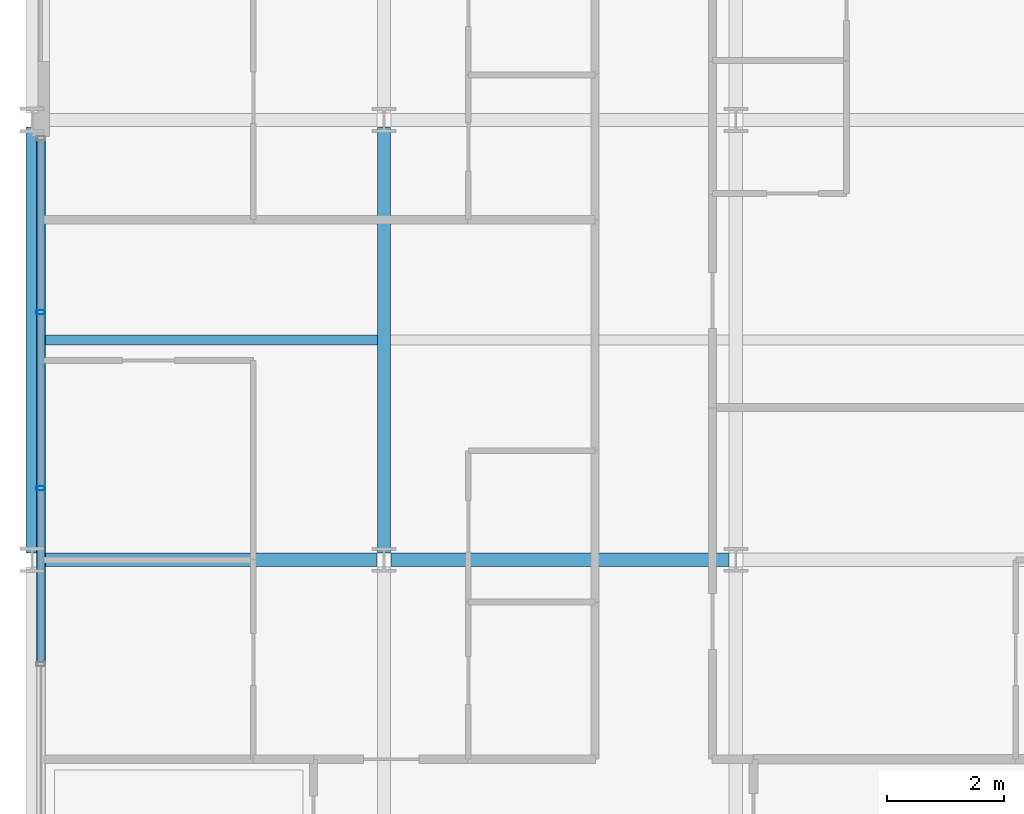
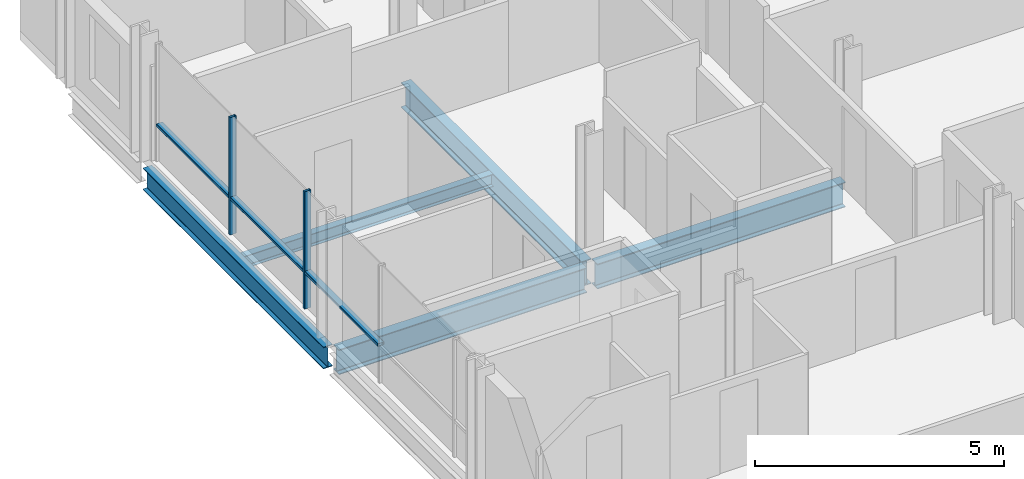
# One storey, part 5 of 40: 5 beams, 5 members, 1 element without a shape of its own.
"""IFC4 building model written with IfcOpenShell, lengths in metres."""

from ifc_helpers import new_model, si_unit, direction, frame, origin, origin_2d, place, context, subcontext, project, spatial, hollow_rectangle, i_section, extrude, material, layer, layer_set, material_profile, profile_set, type_object, element, aggregate, save


model = new_model("IFC4")

# Units and contexts
model_context = context("Model", 3, precision=1e-05, world=origin(), true_north=direction((0.0, 1.0)))
body_context = subcontext(model_context, "Body", "Model", "MODEL_VIEW")
ifc_project = project(units=[si_unit("LENGTHUNIT", "METRE"), si_unit("AREAUNIT", "SQUARE_METRE"), si_unit("VOLUMEUNIT", "CUBIC_METRE"), si_unit("PLANEANGLEUNIT", "RADIAN"), si_unit("MASSUNIT", "GRAM", prefix="KILO")], contexts=[model_context])

# Site, building, storey
site_placement = place(None, origin())
site = spatial("IfcSite", under=ifc_project, at=site_placement, CompositionType="ELEMENT")
building_placement = place(site_placement, origin())
building = spatial("IfcBuilding", under=site, at=building_placement, Name="Brevholm Reach", CompositionType="ELEMENT")
storey_placement = place(building_placement, frame((0.0, 0.0, 125.199951171875)))
storey = spatial("IfcBuildingStorey", under=building, at=storey_placement, Name="L37", CompositionType="ELEMENT", Elevation=125.199951171875)

# Beams
ifc_material_1 = material(Name="Structural Steel S355J2", Category="steel")
ifc_material_profile_1 = material_profile(ifc_material_1, i_section(OverallWidth=0.1650390625, OverallDepth=0.303466796875, WebThickness=0.006103515625, FlangeThickness=0.01025390625, FilletRadius=0.0087890625, at=origin_2d()), Name="UKB 305x165x40")
ifc_profile_set_1 = profile_set([ifc_material_profile_1], Name="Structural Steel S355J2")
beam_type_1 = type_object("IfcBeamType", Name="BM-B305", PredefinedType="BEAM", material=ifc_profile_set_1)
beam_1_placement = place(storey_placement, frame((0.104736328125, 19.75, -0.37158203125), z_axis=(1.0, 0.0, 0.0), x_axis=(0.0, 1.0, 0.0)))
element("IfcBeam", 1, at=beam_1_placement, inside=storey, type_object=beam_type_1, Name="L37 Composite Secondary Floor Beam", PredefinedType="BEAM", context=body_context, shape_type="SweptSolid", body=[
    extrude(i_section(OverallWidth=0.1650390625, OverallDepth=0.303466796875, WebThickness=0.006103515625, FlangeThickness=0.01025390625, FilletRadius=0.0087890625, at=origin_2d()), origin(), (0.0, 0.0, 1.0), 5.78076171875),
])
ifc_material_2 = material(Name="Structural Steel S355J2", Category="steel")
ifc_material_profile_2 = material_profile(ifc_material_2, i_section(OverallWidth=0.209228515625, OverallDepth=0.533203125, WebThickness=0.010009765625, FlangeThickness=0.015625, FilletRadius=0.0126953125, at=origin_2d()), Name="UKB 533x210x92")
ifc_profile_set_2 = profile_set([ifc_material_profile_2], Name="Structural Steel S355J2")
beam_type_2 = type_object("IfcBeamType", Name="BM-SP533", PredefinedType="SPANDREL", material=ifc_profile_set_2)
beam_2_placement = place(storey_placement, frame((0.0, 16.1201171875, -0.486572265625), z_axis=(0.0, 1.0, 0.0), x_axis=(-1.0, 0.0, 0.0)))
element("IfcBeam", 2, at=beam_2_placement, inside=storey, type_object=beam_type_2, Name="L37 SP-02 Framing Beam", PredefinedType="SPANDREL", context=body_context, shape_type="SweptSolid", body=[
    extrude(i_section(OverallWidth=0.209228515625, OverallDepth=0.533203125, WebThickness=0.010009765625, FlangeThickness=0.015625, FilletRadius=0.0126953125, at=origin_2d()), origin(), (0.0, 0.0, 1.0), 7.259765625),
])
ifc_material_3 = material(Name="Structural Steel S355J2", Category="steel")
ifc_material_profile_3 = material_profile(ifc_material_3, i_section(OverallWidth=0.22900390625, OverallDepth=0.6123046875, WebThickness=0.011962890625, FlangeThickness=0.01953125, FilletRadius=0.0126953125, at=origin_2d()), Name="UKB 610x229x125")
ifc_profile_set_3 = profile_set([ifc_material_profile_3], Name="Structural Steel S355J2")
beam_type_3 = type_object("IfcBeamType", Name="BM-SP610", PredefinedType="SPANDREL", material=ifc_profile_set_3)
for number, where, z_axis, x_axis, name in (
    (3, (0.1201171875, 16.0, -0.526123046875), (1.0, 0.0, 0.0), (0.0, 1.0, 0.0), "L37 SP-01 Framing Beam"),
    (4, (6.1201171875, 16.0, -0.526123046875), (1.0, 0.0, 0.0), (0.0, 1.0, 0.0), "L37 SP-01 Framing Beam"),
):
    element("IfcBeam", number, at=place(storey_placement, frame(where, z_axis=z_axis, x_axis=x_axis)), inside=storey, type_object=beam_type_3, Name=name, PredefinedType="SPANDREL", context=body_context, shape_type="SweptSolid", body=[
        extrude(i_section(OverallWidth=0.22900390625, OverallDepth=0.6123046875, WebThickness=0.011962890625, FlangeThickness=0.01953125, FilletRadius=0.0126953125, at=origin_2d()), origin(), (0.0, 0.0, 1.0), 5.759765625),
    ])
beam_3_placement = place(storey_placement, frame((6.0, 16.1201171875, -0.526123046875), z_axis=(0.0, 1.0, 0.0), x_axis=(-1.0, 0.0, 0.0)))
element("IfcBeam", 5, at=beam_3_placement, inside=storey, type_object=beam_type_3, Name="L37 SP-01 Framing Beam", PredefinedType="SPANDREL", context=body_context, shape_type="SweptSolid", body=[
    extrude(i_section(OverallWidth=0.22900390625, OverallDepth=0.6123046875, WebThickness=0.011962890625, FlangeThickness=0.01953125, FilletRadius=0.0126953125, at=origin_2d()), origin(), (0.0, 0.0, 1.0), 7.259765625),
])

# Curtain wall, members
ifc_material_4 = material(Name="Dark Anodised Aluminium 6063-T6 and Solar-Control Glass", Category="aluminium")
ifc_layer = layer(ifc_material_4, 0.14990234375)
ifc_layer_set = layer_set([ifc_layer], Name="Dark Anodised Aluminium 6063-T6 and Solar-Control Glass")
curtain_wall_type = type_object("IfcCurtainWallType", Name="CW-01", PredefinedType="NOTDEFINED", material=ifc_layer_set)
curtain_wall_placement = place(storey_placement, origin())
curtain_wall = element("IfcCurtainWall", 6, at=curtain_wall_placement, inside=storey, type_object=curtain_wall_type, Name="L37 Curtain Wall CW-01", PredefinedType="NOTDEFINED")
ifc_material_5 = material(Name="Dark Anodised Aluminium 6063-T6", Category="aluminium")
ifc_material_profile_4 = material_profile(ifc_material_5, hollow_rectangle(XDim=0.06494140625, YDim=0.14990234375, WallThickness=0.0048828125, InnerFilletRadius=0.0048828125, OuterFilletRadius=0.010009765625, at=origin_2d()), Name="RHS 150x65x5")
ifc_profile_set_4 = profile_set([ifc_material_profile_4], Name="Dark Anodised Aluminium 6063-T6")
member_type_1 = type_object("IfcMemberType", Name="CWM-150", PredefinedType="MULLION", material=ifc_profile_set_4)
member_1_placement = place(storey_placement, frame((0.14990234375, 20.219970703125, 0.0), z_axis=(0.0, 0.0, 1.0), x_axis=(0.0, -1.0, 0.0)))
member_1 = element("IfcMember", 7, at=member_1_placement, type_object=member_type_1, Name="CM-150 Mullion 2", PredefinedType="MULLION", context=body_context, shape_type="SweptSolid", body=[
    extrude(hollow_rectangle(XDim=0.06494140625, YDim=0.14990234375, WallThickness=0.0048828125, InnerFilletRadius=0.0048828125, OuterFilletRadius=0.010009765625, at=origin_2d()), origin(), (0.0, 0.0, 1.0), 2.880126953125),
])
member_2_placement = place(storey_placement, frame((0.14990234375, 17.219970703125, 0.0), z_axis=(0.0, 0.0, 1.0), x_axis=(0.0, -1.0, 0.0)))
member_2 = element("IfcMember", 8, at=member_2_placement, type_object=member_type_1, Name="CM-150 Mullion 3", PredefinedType="MULLION", context=body_context, shape_type="SweptSolid", body=[
    extrude(hollow_rectangle(XDim=0.06494140625, YDim=0.14990234375, WallThickness=0.0048828125, InnerFilletRadius=0.0048828125, OuterFilletRadius=0.010009765625, at=origin_2d()), origin(), (0.0, 0.0, 1.0), 2.880126953125),
])
ifc_material_6 = material(Name="Dark Anodised Aluminium 6063-T6", Category="aluminium")
ifc_material_profile_5 = material_profile(ifc_material_6, hollow_rectangle(XDim=0.06494140625, YDim=0.14990234375, WallThickness=0.0048828125, InnerFilletRadius=0.0048828125, OuterFilletRadius=0.010009765625, at=origin_2d()), Name="RHS 150x65x5")
ifc_profile_set_5 = profile_set([ifc_material_profile_5], Name="Dark Anodised Aluminium 6063-T6")
member_type_2 = type_object("IfcMemberType", Name="CWT-150", PredefinedType="NOTDEFINED", material=ifc_profile_set_5)
member_3_placement = place(storey_placement, frame((0.14990234375, 23.155029296875, 0.900146484375), z_axis=(0.0, -1.0, 0.0), x_axis=(0.0, 0.0, 1.0)))
member_3 = element("IfcMember", 9, at=member_3_placement, type_object=member_type_2, Name="CT-150 Transom 1.1", ObjectType="TRANSOM", PredefinedType="USERDEFINED", context=body_context, shape_type="SweptSolid", body=[
    extrude(hollow_rectangle(XDim=0.06494140625, YDim=0.14990234375, WallThickness=0.0048828125, InnerFilletRadius=0.0048828125, OuterFilletRadius=0.010009765625, at=origin_2d()), origin(), (0.0, 0.0, 1.0), 2.902587890625),
])
member_4_placement = place(storey_placement, frame((0.14990234375, 20.1875, 0.900146484375), z_axis=(0.0, -1.0, 0.0), x_axis=(0.0, 0.0, 1.0)))
member_4 = element("IfcMember", 10, at=member_4_placement, type_object=member_type_2, Name="CT-150 Transom 2.1", ObjectType="TRANSOM", PredefinedType="USERDEFINED", context=body_context, shape_type="SweptSolid", body=[
    extrude(hollow_rectangle(XDim=0.06494140625, YDim=0.14990234375, WallThickness=0.0048828125, InnerFilletRadius=0.0048828125, OuterFilletRadius=0.010009765625, at=origin_2d()), origin(), (0.0, 0.0, 1.0), 2.93505859375),
])
member_5_placement = place(storey_placement, frame((0.14990234375, 17.1875, 0.900146484375), z_axis=(0.0, -1.0, 0.0), x_axis=(0.0, 0.0, 1.0)))
member_5 = element("IfcMember", 11, at=member_5_placement, type_object=member_type_2, Name="CT-150 Transom 3.1", ObjectType="TRANSOM", PredefinedType="USERDEFINED", context=body_context, shape_type="SweptSolid", body=[
    extrude(hollow_rectangle(XDim=0.06494140625, YDim=0.14990234375, WallThickness=0.0048828125, InnerFilletRadius=0.0048828125, OuterFilletRadius=0.010009765625, at=origin_2d()), origin(), (0.0, 0.0, 1.0), 2.93505859375),
])
aggregate(curtain_wall, [member_1, member_2, member_3, member_4, member_5])

save(model, "model.ifc")
